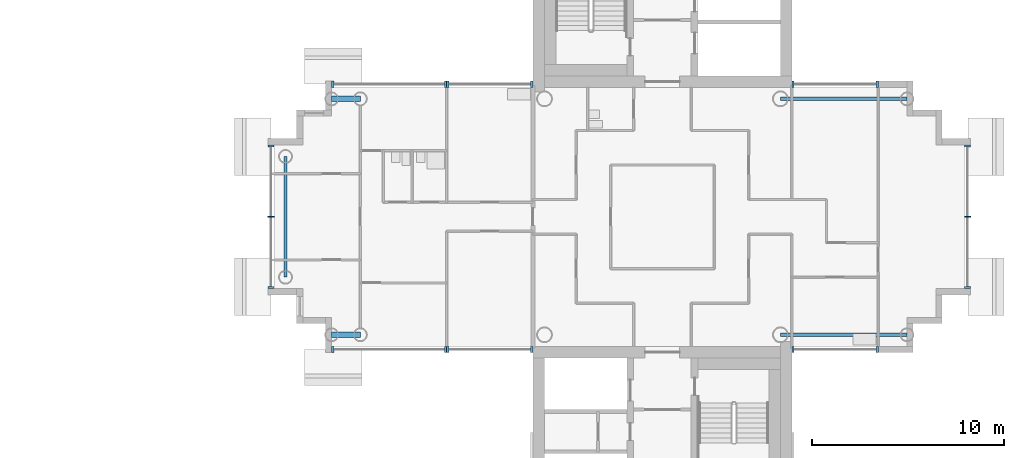
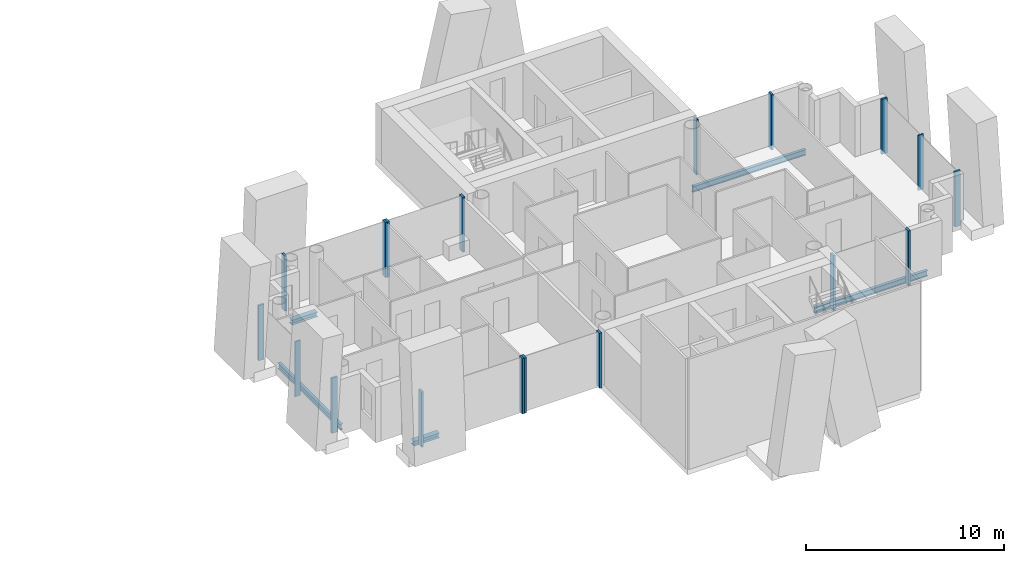
# One storey, part 4 of 18: 18 members, 5 beams, 8 elements without a shape of their own.
"""IFC4 building model written with IfcOpenShell, lengths in metres."""

from ifc_helpers import new_model, si_unit, direction, frame, origin, origin_2d, place, context, subcontext, project, spatial, rectangle, i_section, extrude, material, layer, layer_set, material_profile, profile_set, type_object, element, aggregate, save


model = new_model("IFC4")

# Units and contexts
model_context = context("Model", 3, precision=1e-05, world=origin(), true_north=direction((0.0, 1.0)))
body_context = subcontext(model_context, "Body", "Model", "MODEL_VIEW")
ifc_project = project(units=[si_unit("LENGTHUNIT", "METRE"), si_unit("AREAUNIT", "SQUARE_METRE"), si_unit("VOLUMEUNIT", "CUBIC_METRE"), si_unit("PLANEANGLEUNIT", "RADIAN"), si_unit("MASSUNIT", "GRAM", prefix="KILO")], contexts=[model_context])

# Site, building, storey
site_placement = place(None, origin())
site = spatial("IfcSite", under=ifc_project, at=site_placement, CompositionType="ELEMENT")
building_placement = place(site_placement, origin())
building = spatial("IfcBuilding", under=site, at=building_placement, Name="Ipe Terrace Towers", CompositionType="ELEMENT")
storey_placement = place(building_placement, frame((0.0, 0.0, 196.0)))
storey = spatial("IfcBuildingStorey", under=building, at=storey_placement, Name="L54", CompositionType="ELEMENT", Elevation=196.0)

# Beams
ifc_material_1 = material(Name="Steel S355", Category="steel")
ifc_material_profile_1 = material_profile(ifc_material_1, i_section(OverallWidth=0.300048828125, OverallDepth=0.300048828125, WebThickness=0.010009765625, FlangeThickness=0.014892578125, at=origin_2d()), Name="H-300x300x10x15")
ifc_profile_set_1 = profile_set([ifc_material_profile_1], Name="Steel S355")
beam_type_1 = type_object("IfcBeamType", Name="H03 EDGE BEAM H-300x300x10x15", PredefinedType="BEAM", material=ifc_profile_set_1)
for number, where, z_axis, x_axis, name in (
    (1, (20.25, 6.14990234375, -0.550048828125), (-1.0, 0.0, 0.0), (0.0, -1.0, 0.0), "Edge beam T2-EB-B03-B05"),
    (2, (20.25, -6.14990234375, -0.550048828125), (-1.0, 0.0, 0.0), (0.0, -1.0, 0.0), "Edge beam T2-EB-B04-B06"),
):
    element("IfcBeam", number, at=place(storey_placement, frame(where, z_axis=z_axis, x_axis=x_axis)), inside=storey, type_object=beam_type_1, Name=name, PredefinedType="BEAM", context=body_context, shape_type="SweptSolid", body=[
        extrude(i_section(OverallWidth=0.300048828125, OverallDepth=0.300048828125, WebThickness=0.010009765625, FlangeThickness=0.014892578125, at=origin_2d()), origin(), (0.0, 0.0, 1.0), 1.5),
    ])
ifc_material_2 = material(Name="Steel S355", Category="steel")
ifc_material_profile_2 = material_profile(ifc_material_2, i_section(OverallWidth=0.175048828125, OverallDepth=0.35009765625, WebThickness=0.007080078125, FlangeThickness=0.010986328125, at=origin_2d()), Name="H-350x175x7x11")
ifc_profile_set_2 = profile_set([ifc_material_profile_2], Name="Steel S355")
beam_type_2 = type_object("IfcBeamType", Name="H04 EDGE BEAM H-350x175x7x11", PredefinedType="BEAM", material=ifc_profile_set_2)
beam_placement = place(storey_placement, frame((16.35009765625, 3.14990234375, -0.574951171875), z_axis=(0.0, -1.0, 0.0), x_axis=(1.0, 0.0, 0.0)))
element("IfcBeam", 3, at=beam_placement, inside=storey, type_object=beam_type_2, Name="Edge beam T2-EB-B07-B08", PredefinedType="BEAM", context=body_context, shape_type="SweptSolid", body=[
    extrude(i_section(OverallWidth=0.175048828125, OverallDepth=0.35009765625, WebThickness=0.007080078125, FlangeThickness=0.010986328125, at=origin_2d()), origin(), (0.0, 0.0, 1.0), 6.2998046875),
])
for number, where, z_axis, x_axis, name in (
    (4, (48.75, -6.14990234375, -0.574951171875), (-1.0, 0.0, 0.0), (0.0, -1.0, 0.0), "Edge beam T2-EB-D01-E01"),
    (5, (48.75, 6.14990234375, -0.574951171875), (-1.0, 0.0, 0.0), (0.0, -1.0, 0.0), "Edge beam T2-EB-D02-E02"),
):
    element("IfcBeam", number, at=place(storey_placement, frame(where, z_axis=z_axis, x_axis=x_axis)), inside=storey, type_object=beam_type_2, Name=name, PredefinedType="BEAM", context=body_context, shape_type="SweptSolid", body=[
        extrude(i_section(OverallWidth=0.175048828125, OverallDepth=0.35009765625, WebThickness=0.007080078125, FlangeThickness=0.010986328125, at=origin_2d()), origin(), (0.0, 0.0, 1.0), 6.60009765625),
    ])

# Curtain wall, members
ifc_material_3 = material(Name="Aluminium alloy 6063-T6", Category="aluminium")
ifc_layer = layer(ifc_material_3, 0.320068359375)
ifc_layer_set = layer_set([ifc_layer], Name="TOWER UNITISED CURTAIN WALL")
curtain_wall_type = type_object("IfcCurtainWallType", Name="TOWER UNITISED CURTAIN WALL", PredefinedType="NOTDEFINED", material=ifc_layer_set)
curtain_wall_1_placement = place(storey_placement, origin())
curtain_wall_1 = element("IfcCurtainWall", 6, at=curtain_wall_1_placement, inside=storey, type_object=curtain_wall_type, Name="T2-CW-L54-02a curtain wall", PredefinedType="NOTDEFINED")
ifc_material_4 = material(Name="Aluminium alloy 6063-T6", Category="aluminium")
ifc_material_profile_3 = material_profile(ifc_material_4, rectangle(XDim=0.320068359375, YDim=0.1201171875, at=origin_2d()), Name="TOWER UNITISED CORNER MULLION 320 x 120")
ifc_profile_set_3 = profile_set([ifc_material_profile_3], Name="Aluminium alloy 6063-T6")
member_type_1 = type_object("IfcMemberType", Name="TOWER UNITISED CORNER MULLION 320 x 120", PredefinedType="MULLION", material=ifc_profile_set_3)
member_1_placement = place(storey_placement, frame((42.81005859375, -6.909912109375, -0.300048828125), z_axis=(0.0, 0.0, 1.0), x_axis=(0.0, -1.0, 0.0)))
member_1 = element("IfcMember", 7, at=member_1_placement, type_object=member_type_1, Name="T2-CW-L54-02a mullion 1", PredefinedType="MULLION", context=body_context, shape_type="SweptSolid", body=[
    extrude(rectangle(XDim=0.320068359375, YDim=0.1201171875, at=origin_2d()), origin(), (0.0, 0.0, 1.0), 3.400146484375),
])
member_2_placement = place(storey_placement, frame((47.18994140625, -6.909912109375, -0.300048828125), z_axis=(0.0, 0.0, 1.0), x_axis=(0.0, -1.0, 0.0)))
member_2 = element("IfcMember", 8, at=member_2_placement, type_object=member_type_1, Name="T2-CW-L54-02a mullion 2", PredefinedType="MULLION", context=body_context, shape_type="SweptSolid", body=[
    extrude(rectangle(XDim=0.320068359375, YDim=0.1201171875, at=origin_2d()), origin(), (0.0, 0.0, 1.0), 3.400146484375),
])
aggregate(curtain_wall_1, [member_1, member_2])

curtain_wall_2_placement = place(storey_placement, origin())
curtain_wall_2 = element("IfcCurtainWall", 9, at=curtain_wall_2_placement, inside=storey, type_object=curtain_wall_type, Name="T2-CW-L54-08a curtain wall", PredefinedType="NOTDEFINED")
member_3_placement = place(storey_placement, frame((51.909912109375, -3.68994140625, -0.300048828125), z_axis=(0.0, 0.0, 1.0), x_axis=(1.0, 0.0, 0.0)))
member_3 = element("IfcMember", 10, at=member_3_placement, type_object=member_type_1, Name="T2-CW-L54-08a mullion 1", PredefinedType="MULLION", context=body_context, shape_type="SweptSolid", body=[
    extrude(rectangle(XDim=0.320068359375, YDim=0.1201171875, at=origin_2d()), origin(), (0.0, 0.0, 1.0), 3.400146484375),
])
member_4_placement = place(storey_placement, frame((51.909912109375, 3.68994140625, -0.300048828125), z_axis=(0.0, 0.0, 1.0), x_axis=(1.0, 0.0, 0.0)))
member_4 = element("IfcMember", 11, at=member_4_placement, type_object=member_type_1, Name="T2-CW-L54-08a mullion 3", PredefinedType="MULLION", context=body_context, shape_type="SweptSolid", body=[
    extrude(rectangle(XDim=0.320068359375, YDim=0.1201171875, at=origin_2d()), origin(), (0.0, 0.0, 1.0), 3.400146484375),
])

curtain_wall_3_placement = place(storey_placement, origin())
curtain_wall_3 = element("IfcCurtainWall", 12, at=curtain_wall_3_placement, inside=storey, type_object=curtain_wall_type, Name="T2-CW-L54-14a curtain wall", PredefinedType="NOTDEFINED")
member_5_placement = place(storey_placement, frame((47.18994140625, 6.909912109375, -0.300048828125), z_axis=(0.0, 0.0, 1.0), x_axis=(0.0, 1.0, 0.0)))
member_5 = element("IfcMember", 13, at=member_5_placement, type_object=member_type_1, Name="T2-CW-L54-14a mullion 1", PredefinedType="MULLION", context=body_context, shape_type="SweptSolid", body=[
    extrude(rectangle(XDim=0.320068359375, YDim=0.1201171875, at=origin_2d()), origin(), (0.0, 0.0, 1.0), 3.400146484375),
])
member_6_placement = place(storey_placement, frame((42.81005859375, 6.909912109375, -0.300048828125), z_axis=(0.0, 0.0, 1.0), x_axis=(0.0, 1.0, 0.0)))
member_6 = element("IfcMember", 14, at=member_6_placement, type_object=member_type_1, Name="T2-CW-L54-14a mullion 2", PredefinedType="MULLION", context=body_context, shape_type="SweptSolid", body=[
    extrude(rectangle(XDim=0.320068359375, YDim=0.1201171875, at=origin_2d()), origin(), (0.0, 0.0, 1.0), 3.400146484375),
])
aggregate(curtain_wall_3, [member_5, member_6])

curtain_wall_4_placement = place(storey_placement, origin())
curtain_wall_4 = element("IfcCurtainWall", 15, at=curtain_wall_4_placement, inside=storey, type_object=curtain_wall_type, Name="T2-CW-L54-20a curtain wall", PredefinedType="NOTDEFINED")
member_7_placement = place(storey_placement, frame((29.18994140625, 6.909912109375, -0.300048828125), z_axis=(0.0, 0.0, 1.0), x_axis=(0.0, 1.0, 0.0)))
member_7 = element("IfcMember", 16, at=member_7_placement, type_object=member_type_1, Name="T2-CW-L54-20a mullion 1", PredefinedType="MULLION", context=body_context, shape_type="SweptSolid", body=[
    extrude(rectangle(XDim=0.320068359375, YDim=0.1201171875, at=origin_2d()), origin(), (0.0, 0.0, 1.0), 3.400146484375),
])
member_8_placement = place(storey_placement, frame((24.81005859375, 6.909912109375, -0.300048828125), z_axis=(0.0, 0.0, 1.0), x_axis=(0.0, 1.0, 0.0)))
member_8 = element("IfcMember", 17, at=member_8_placement, type_object=member_type_1, Name="T2-CW-L54-20a mullion 2", PredefinedType="MULLION", context=body_context, shape_type="SweptSolid", body=[
    extrude(rectangle(XDim=0.320068359375, YDim=0.1201171875, at=origin_2d()), origin(), (0.0, 0.0, 1.0), 3.400146484375),
])
aggregate(curtain_wall_4, [member_7, member_8])

curtain_wall_5_placement = place(storey_placement, origin())
curtain_wall_5 = element("IfcCurtainWall", 18, at=curtain_wall_5_placement, inside=storey, type_object=curtain_wall_type, Name="T2-CW-L54-21a curtain wall", PredefinedType="NOTDEFINED")
member_9_placement = place(storey_placement, frame((24.68994140625, 6.909912109375, -0.300048828125), z_axis=(0.0, 0.0, 1.0), x_axis=(0.0, 1.0, 0.0)))
member_9 = element("IfcMember", 19, at=member_9_placement, type_object=member_type_1, Name="T2-CW-L54-21a mullion 1", PredefinedType="MULLION", context=body_context, shape_type="SweptSolid", body=[
    extrude(rectangle(XDim=0.320068359375, YDim=0.1201171875, at=origin_2d()), origin(), (0.0, 0.0, 1.0), 3.400146484375),
])
member_10_placement = place(storey_placement, frame((18.81005859375, 6.909912109375, -0.300048828125), z_axis=(0.0, 0.0, 1.0), x_axis=(0.0, 1.0, 0.0)))
member_10 = element("IfcMember", 20, at=member_10_placement, type_object=member_type_1, Name="T2-CW-L54-21a mullion 2", PredefinedType="MULLION", context=body_context, shape_type="SweptSolid", body=[
    extrude(rectangle(XDim=0.320068359375, YDim=0.1201171875, at=origin_2d()), origin(), (0.0, 0.0, 1.0), 3.400146484375),
])
aggregate(curtain_wall_5, [member_9, member_10])

curtain_wall_6_placement = place(storey_placement, origin())
curtain_wall_6 = element("IfcCurtainWall", 21, at=curtain_wall_6_placement, inside=storey, type_object=curtain_wall_type, Name="T2-CW-L54-26a curtain wall", PredefinedType="NOTDEFINED")
member_11_placement = place(storey_placement, frame((15.590087890625, 3.68994140625, -0.300048828125), z_axis=(0.0, 0.0, 1.0), x_axis=(-1.0, 0.0, 0.0)))
member_11 = element("IfcMember", 22, at=member_11_placement, type_object=member_type_1, Name="T2-CW-L54-26a mullion 1", PredefinedType="MULLION", context=body_context, shape_type="SweptSolid", body=[
    extrude(rectangle(XDim=0.320068359375, YDim=0.1201171875, at=origin_2d()), origin(), (0.0, 0.0, 1.0), 3.400146484375),
])
member_12_placement = place(storey_placement, frame((15.590087890625, -3.68994140625, -0.300048828125), z_axis=(0.0, 0.0, 1.0), x_axis=(-1.0, 0.0, 0.0)))
member_12 = element("IfcMember", 23, at=member_12_placement, type_object=member_type_1, Name="T2-CW-L54-26a mullion 3", PredefinedType="MULLION", context=body_context, shape_type="SweptSolid", body=[
    extrude(rectangle(XDim=0.320068359375, YDim=0.1201171875, at=origin_2d()), origin(), (0.0, 0.0, 1.0), 3.400146484375),
])

curtain_wall_7_placement = place(storey_placement, origin())
curtain_wall_7 = element("IfcCurtainWall", 24, at=curtain_wall_7_placement, inside=storey, type_object=curtain_wall_type, Name="T2-CW-L54-31a curtain wall", PredefinedType="NOTDEFINED")
member_13_placement = place(storey_placement, frame((18.81005859375, -6.909912109375, -0.300048828125), z_axis=(0.0, 0.0, 1.0), x_axis=(0.0, -1.0, 0.0)))
member_13 = element("IfcMember", 25, at=member_13_placement, type_object=member_type_1, Name="T2-CW-L54-31a mullion 1", PredefinedType="MULLION", context=body_context, shape_type="SweptSolid", body=[
    extrude(rectangle(XDim=0.320068359375, YDim=0.1201171875, at=origin_2d()), origin(), (0.0, 0.0, 1.0), 3.400146484375),
])
member_14_placement = place(storey_placement, frame((24.68994140625, -6.909912109375, -0.300048828125), z_axis=(0.0, 0.0, 1.0), x_axis=(0.0, -1.0, 0.0)))
member_14 = element("IfcMember", 26, at=member_14_placement, type_object=member_type_1, Name="T2-CW-L54-31a mullion 2", PredefinedType="MULLION", context=body_context, shape_type="SweptSolid", body=[
    extrude(rectangle(XDim=0.320068359375, YDim=0.1201171875, at=origin_2d()), origin(), (0.0, 0.0, 1.0), 3.400146484375),
])
aggregate(curtain_wall_7, [member_13, member_14])

curtain_wall_8_placement = place(storey_placement, origin())
curtain_wall_8 = element("IfcCurtainWall", 27, at=curtain_wall_8_placement, inside=storey, type_object=curtain_wall_type, Name="T2-CW-L54-32a curtain wall", PredefinedType="NOTDEFINED")
member_15_placement = place(storey_placement, frame((24.81005859375, -6.909912109375, -0.300048828125), z_axis=(0.0, 0.0, 1.0), x_axis=(0.0, -1.0, 0.0)))
member_15 = element("IfcMember", 28, at=member_15_placement, type_object=member_type_1, Name="T2-CW-L54-32a mullion 1", PredefinedType="MULLION", context=body_context, shape_type="SweptSolid", body=[
    extrude(rectangle(XDim=0.320068359375, YDim=0.1201171875, at=origin_2d()), origin(), (0.0, 0.0, 1.0), 3.400146484375),
])
member_16_placement = place(storey_placement, frame((29.18994140625, -6.909912109375, -0.300048828125), z_axis=(0.0, 0.0, 1.0), x_axis=(0.0, -1.0, 0.0)))
member_16 = element("IfcMember", 29, at=member_16_placement, type_object=member_type_1, Name="T2-CW-L54-32a mullion 2", PredefinedType="MULLION", context=body_context, shape_type="SweptSolid", body=[
    extrude(rectangle(XDim=0.320068359375, YDim=0.1201171875, at=origin_2d()), origin(), (0.0, 0.0, 1.0), 3.400146484375),
])
aggregate(curtain_wall_8, [member_15, member_16])

# Member
ifc_material_5 = material(Name="Aluminium alloy 6063-T6", Category="aluminium")
ifc_material_profile_4 = material_profile(ifc_material_5, rectangle(XDim=0.320068359375, YDim=0.06494140625, at=origin_2d()), Name="TOWER UNITISED MULLION 320 x 65")
ifc_profile_set_4 = profile_set([ifc_material_profile_4], Name="Aluminium alloy 6063-T6")
member_type_2 = type_object("IfcMemberType", Name="TOWER UNITISED MULLION 320 x 65", PredefinedType="MULLION", material=ifc_profile_set_4)
member_17_placement = place(storey_placement, frame((51.909912109375, 0.0, -0.300048828125), z_axis=(0.0, 0.0, 1.0), x_axis=(1.0, 0.0, 0.0)))
member_17 = element("IfcMember", 30, at=member_17_placement, type_object=member_type_2, Name="T2-CW-L54-08a mullion 2", PredefinedType="MULLION", context=body_context, shape_type="SweptSolid", body=[
    extrude(rectangle(XDim=0.320068359375, YDim=0.06494140625, at=origin_2d()), origin(), (0.0, 0.0, 1.0), 3.400146484375),
])

aggregate(curtain_wall_2, [member_3, member_17, member_4])

member_18_placement = place(storey_placement, frame((15.590087890625, 0.0, -0.300048828125), z_axis=(0.0, 0.0, 1.0), x_axis=(-1.0, 0.0, 0.0)))
member_18 = element("IfcMember", 31, at=member_18_placement, type_object=member_type_2, Name="T2-CW-L54-26a mullion 2", PredefinedType="MULLION", context=body_context, shape_type="SweptSolid", body=[
    extrude(rectangle(XDim=0.320068359375, YDim=0.06494140625, at=origin_2d()), origin(), (0.0, 0.0, 1.0), 3.400146484375),
])

aggregate(curtain_wall_6, [member_11, member_18, member_12])

save(model, "model.ifc")
